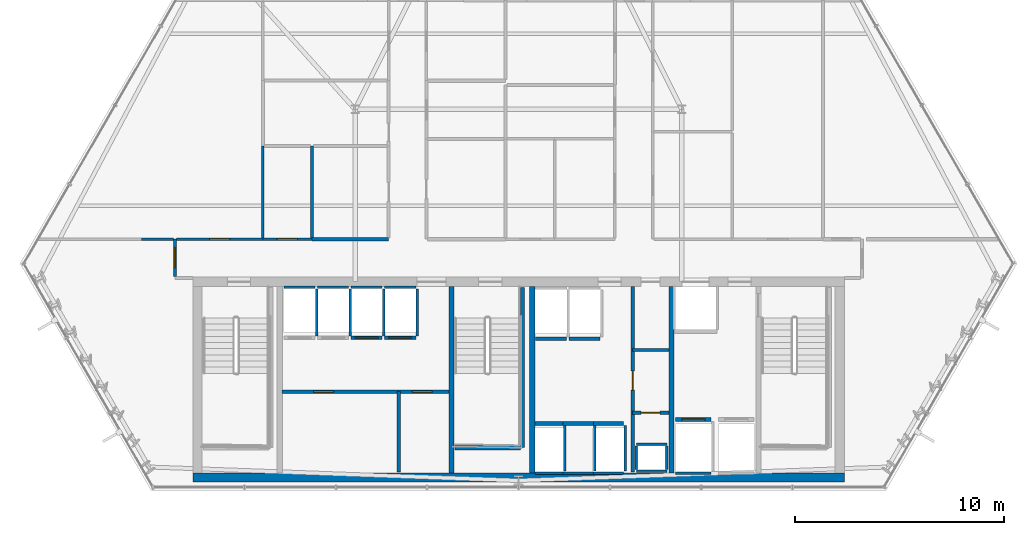
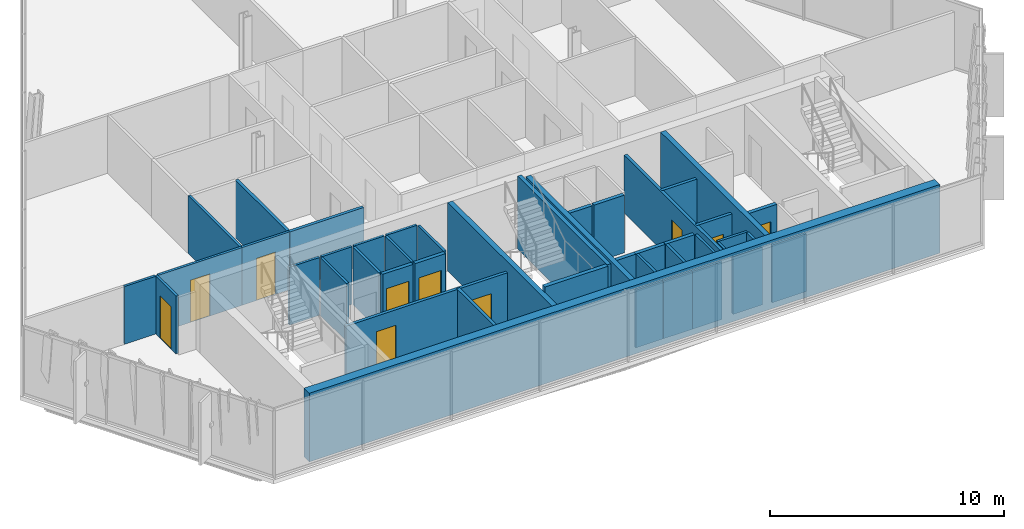
# One storey, part 25 of 32: 45 walls, 10 doors, 10 openings.
"""IFC4 building model written with IfcOpenShell, lengths in metres."""

from ifc_helpers import new_model, si_unit, direction, frame, frame_2d, origin, place, context, subcontext, project, spatial, rectangle, extrude, material, layer, layer_set, type_object, element, fill, save


model = new_model("IFC4")

# Units and contexts
model_context = context("Model", 3, precision=1e-05, world=origin(), true_north=direction((0.0, 1.0)))
body_context = subcontext(model_context, "Body", "Model", "MODEL_VIEW")
ifc_project = project(units=[si_unit("LENGTHUNIT", "METRE"), si_unit("AREAUNIT", "SQUARE_METRE"), si_unit("VOLUMEUNIT", "CUBIC_METRE"), si_unit("PLANEANGLEUNIT", "RADIAN"), si_unit("MASSUNIT", "GRAM", prefix="KILO")], contexts=[model_context])

# Site, building, storey
site_placement = place(None, origin())
site = spatial("IfcSite", under=ifc_project, at=site_placement, CompositionType="ELEMENT")
building_placement = place(site_placement, origin())
building = spatial("IfcBuilding", under=site, at=building_placement, Name="Ndaravel Arena Tower", CompositionType="ELEMENT")
storey_placement = place(building_placement, frame((0.0, 0.0, 134.60009765625)))
storey = spatial("IfcBuildingStorey", under=building, at=storey_placement, Name="L31", CompositionType="ELEMENT", Elevation=134.60009765625)

# Wall, opening, door
ifc_material_1 = material(Name="Gypsum", Category="gypsum")
ifc_layer_1 = layer(ifc_material_1, 0.14990234375)
ifc_layer_set_1 = layer_set([ifc_layer_1], Name="Gypsum")
wall_type_1 = type_object("IfcWallType", Name="WALL-COMP-150", PredefinedType="PARTITIONING", material=ifc_layer_set_1)
wall_1_placement = place(storey_placement, frame((47.449951171875, 5.89990234375, 0.0), z_axis=(0.0, 0.0, 1.0), x_axis=(0.0, 1.0, 0.0)))
wall_1 = element("IfcWall", 1, at=wall_1_placement, inside=storey, type_object=wall_type_1, Name="L31 Core Riser Bay Partition", PredefinedType="PARTITIONING", context=body_context, shape_type="SweptSolid", body=[
    extrude(rectangle(XDim=8.85009765625, YDim=0.14990234375, at=frame_2d((4.425048828125, 0.0))), origin(), (0.0, 0.0, 1.0), 3.010498046875),
])
opening_1_placement = place(wall_1_placement, frame((3.89990234375, 0.0, 0.0)))
opening_1 = element("IfcOpeningElement", 2, at=opening_1_placement, cuts=wall_1, Name="Opening RD-01", PredefinedType="OPENING", context=body_context, shape_type="SweptSolid", body=[
    extrude(rectangle(XDim=0.89990234375, YDim=2.10009765625, at=frame_2d((0.449951171875, 1.050048828125))), frame((0.0, 0.074951171875, 0.0), z_axis=(0.0, -1.0, 0.0), x_axis=(1.0, 0.0, 0.0)), (0.0, 0.0, 1.0), 0.14990234375),
])
ifc_material_2 = material(Name="Steel S355", Category="steel")
door_type_1 = type_object("IfcDoorType", Name="DT-08-RISER-900", OperationType="SINGLE_SWING_LEFT", PredefinedType="DOOR", material=ifc_material_2)
door_1_placement = place(opening_1_placement, origin())
door_1 = element("IfcDoor", 3, at=door_1_placement, inside=storey, type_object=door_type_1, Name="L31 Plumbing Riser Door", OperationType="SINGLE_SWING_LEFT", OverallHeight=2.10009765625, OverallWidth=0.89990234375, PredefinedType="DOOR", context=body_context, shape_type="SweptSolid", body=[
    extrude(rectangle(XDim=0.89990234375, YDim=2.10009765625, at=frame_2d((0.449951171875, 1.050048828125))), frame((0.0, 0.02490234375, 0.0), z_axis=(0.0, -1.0, 0.0), x_axis=(1.0, 0.0, 0.0)), (0.0, 0.0, 1.0), 0.050048828125),
])
fill(opening_1, door_1)

wall_2_placement = place(storey_placement, frame((47.449951171875, 8.719970703125, 0.0), z_axis=(0.0, 0.0, 1.0), x_axis=(1.0, 0.0, 0.0)))
wall_2 = element("IfcWall", 4, at=wall_2_placement, inside=storey, type_object=wall_type_1, Name="L31 Core Riser Divider 1", PredefinedType="PARTITIONING", context=body_context, shape_type="SweptSolid", body=[
    extrude(rectangle(XDim=1.72998046875, YDim=0.14990234375, at=frame_2d((0.864990234375, 0.0))), origin(), (0.0, 0.0, 1.0), 3.010498046875),
])
opening_2_placement = place(wall_2_placement, frame((0.39990234375, 0.0, 0.0)))
opening_2 = element("IfcOpeningElement", 5, at=opening_2_placement, cuts=wall_2, Name="Opening RD-01", PredefinedType="OPENING", context=body_context, shape_type="SweptSolid", body=[
    extrude(rectangle(XDim=0.89990234375, YDim=2.10009765625, at=frame_2d((0.449951171875, 1.050048828125))), frame((0.0, 0.074951171875, 0.0), z_axis=(0.0, -1.0, 0.0), x_axis=(1.0, 0.0, 0.0)), (0.0, 0.0, 1.0), 0.14990234375),
])
door_2_placement = place(opening_2_placement, origin())
door_2 = element("IfcDoor", 6, at=door_2_placement, inside=storey, type_object=door_type_1, Name="L31 Low-Voltage Riser Door", OperationType="SINGLE_SWING_RIGHT", OverallHeight=2.10009765625, OverallWidth=0.89990234375, PredefinedType="DOOR", context=body_context, shape_type="SweptSolid", body=[
    extrude(rectangle(XDim=0.89990234375, YDim=2.10009765625, at=frame_2d((0.449951171875, 1.050048828125))), frame((0.0, 0.02490234375, 0.0), z_axis=(0.0, -1.0, 0.0), x_axis=(1.0, 0.0, 0.0)), (0.0, 0.0, 1.0), 0.050048828125),
])
fill(opening_2, door_2)

# Wall
wall_3_placement = place(storey_placement, frame((47.449951171875, 11.719970703125, 0.0), z_axis=(0.0, 0.0, 1.0), x_axis=(1.0, 0.0, 0.0)))
element("IfcWall", 7, at=wall_3_placement, inside=storey, type_object=wall_type_1, Name="L31 Core Riser Divider 2", PredefinedType="PARTITIONING", context=body_context, shape_type="SweptSolid", body=[
    extrude(rectangle(XDim=1.72998046875, YDim=0.14990234375, at=frame_2d((0.864990234375, 0.0))), origin(), (0.0, 0.0, 1.0), 3.010498046875),
])

# Wall, openings, doors
wall_4_placement = place(storey_placement, frame((30.719970703125, 9.719970703125, 0.0), z_axis=(0.0, 0.0, 1.0), x_axis=(1.0, 0.0, 0.0)))
wall_4 = element("IfcWall", 8, at=wall_4_placement, inside=storey, type_object=wall_type_1, Name="L31 Reclaimed Shaft Partition", PredefinedType="PARTITIONING", context=body_context, shape_type="SweptSolid", body=[
    extrude(rectangle(XDim=7.9599609375, YDim=0.14990234375, at=frame_2d((3.97998046875, 0.0))), origin(), (0.0, 0.0, 1.0), 3.010498046875),
])
opening_3_placement = place(wall_4_placement, frame((1.5, 0.0, 0.0)))
opening_3 = element("IfcOpeningElement", 9, at=opening_3_placement, cuts=wall_4, Name="Opening FD-03", PredefinedType="OPENING", context=body_context, shape_type="SweptSolid", body=[
    extrude(rectangle(XDim=0.949951171875, YDim=2.199951171875, at=frame_2d((0.47509765625, 1.10009765625))), frame((0.0, 0.074951171875, 0.0), z_axis=(0.0, -1.0, 0.0), x_axis=(1.0, 0.0, 0.0)), (0.0, 0.0, 1.0), 0.14990234375),
])
opening_4_placement = place(wall_4_placement, frame((6.2099609375, 0.0, 0.0)))
opening_4 = element("IfcOpeningElement", 10, at=opening_4_placement, cuts=wall_4, Name="Opening FD-03", PredefinedType="OPENING", context=body_context, shape_type="SweptSolid", body=[
    extrude(rectangle(XDim=0.949951171875, YDim=2.199951171875, at=frame_2d((0.47509765625, 1.10009765625))), frame((0.0, 0.074951171875, 0.0), z_axis=(0.0, -1.0, 0.0), x_axis=(1.0, 0.0, 0.0)), (0.0, 0.0, 1.0), 0.14990234375),
])
ifc_material_3 = material(Name="Steel S355", Category="steel")
door_type_2 = type_object("IfcDoorType", Name="DT-11-CORE-950", OperationType="SINGLE_SWING_LEFT", PredefinedType="DOOR", material=ifc_material_3)
door_3_placement = place(opening_3_placement, origin())
door_3 = element("IfcDoor", 11, at=door_3_placement, inside=storey, type_object=door_type_2, Name="L31 ICT Server Room Door", OperationType="SINGLE_SWING_LEFT", OverallHeight=2.199951171875, OverallWidth=0.949951171875, PredefinedType="DOOR", context=body_context, shape_type="SweptSolid", body=[
    extrude(rectangle(XDim=0.949951171875, YDim=2.199951171875, at=frame_2d((0.47509765625, 1.10009765625))), frame((0.0, 0.02490234375, 0.0), z_axis=(0.0, -1.0, 0.0), x_axis=(1.0, 0.0, 0.0)), (0.0, 0.0, 1.0), 0.050048828125),
])
fill(opening_3, door_3)
door_4_placement = place(opening_4_placement, origin())
door_4 = element("IfcDoor", 12, at=door_4_placement, inside=storey, type_object=door_type_2, Name="L31 Core Archive Room Door", OperationType="SINGLE_SWING_RIGHT", OverallHeight=2.199951171875, OverallWidth=0.949951171875, PredefinedType="DOOR", context=body_context, shape_type="SweptSolid", body=[
    extrude(rectangle(XDim=0.949951171875, YDim=2.199951171875, at=frame_2d((0.47509765625, 1.10009765625))), frame((0.0, 0.02490234375, 0.0), z_axis=(0.0, -1.0, 0.0), x_axis=(1.0, 0.0, 0.0)), (0.0, 0.0, 1.0), 0.050048828125),
])
fill(opening_4, door_4)

# Walls
wall_5_placement = place(storey_placement, frame((36.280029296875, 5.89990234375, 0.0), z_axis=(0.0, 0.0, 1.0), x_axis=(0.0, 1.0, 0.0)))
element("IfcWall", 13, at=wall_5_placement, inside=storey, type_object=wall_type_1, Name="L31 Reclaimed Bay Divider", PredefinedType="PARTITIONING", context=body_context, shape_type="SweptSolid", body=[
    extrude(rectangle(XDim=3.820068359375, YDim=0.14990234375, at=frame_2d((1.91015625, 0.0))), origin(), (0.0, 0.0, 1.0), 3.010498046875),
])
ifc_material_4 = material(Name="Concrete C60/75", Category="concrete")
ifc_layer_2 = layer(ifc_material_4, 0.25)
ifc_layer_set_2 = layer_set([ifc_layer_2], Name="Concrete C60/75")
wall_type_2 = type_object("IfcWallType", Name="WALL-CORE-250", PredefinedType="SOLIDWALL", material=ifc_layer_set_2)
for number, where, z_axis, x_axis, name in (
    (14, (38.800048828125, 5.85009765625, 0.0), (0.0, 0.0, 1.0), (0.0, 1.0, 0.0), "L31 Core Web Shear Wall 2"),
    (15, (42.64990234375, 5.85009765625, 0.0), (0.0, 0.0, 1.0), (0.0, 1.0, 0.0), "L31 Core Web Shear Wall 3"),
    (16, (49.300048828125, 5.85009765625, 0.0), (0.0, 0.0, 1.0), (0.0, 1.0, 0.0), "L31 Core Web Shear Wall 4"),
):
    element("IfcWall", number, at=place(storey_placement, frame(where, z_axis=z_axis, x_axis=x_axis)), inside=storey, type_object=wall_type_2, Name=name, PredefinedType="SOLIDWALL", context=body_context, shape_type="SweptSolid", body=[
        extrude(rectangle(XDim=8.89990234375, YDim=0.25, at=frame_2d((4.449951171875, 0.0))), origin(), (0.0, 0.0, 1.0), 3.579833984375),
    ])
ifc_material_5 = material(Name="Concrete C60/75", Category="concrete")
ifc_layer_3 = layer(ifc_material_5, 0.449951171875)
ifc_layer_set_3 = layer_set([ifc_layer_3], Name="Concrete C60/75")
wall_type_3 = type_object("IfcWallType", Name="WALL-CORE-450", PredefinedType="SOLIDWALL", material=ifc_layer_set_3)
wall_6_placement = place(storey_placement, frame((26.449951171875, 5.625, 0.0), z_axis=(0.0, 0.0, 1.0), x_axis=(1.0, 0.0, 0.0)))
element("IfcWall", 17, at=wall_6_placement, inside=storey, type_object=wall_type_3, Name="L31 Core South Shear Wall", PredefinedType="SOLIDWALL", context=body_context, shape_type="SweptSolid", body=[
    extrude(rectangle(XDim=31.10009765625, YDim=0.449951171875, at=frame_2d((15.550048828125, 0.0))), origin(), (0.0, 0.0, 1.0), 3.579833984375),
])

# Wall, opening, door
ifc_material_6 = material(Name="Gypsum", Category="gypsum")
ifc_layer_4 = layer(ifc_material_6, 0.125)
ifc_layer_set_4 = layer_set([ifc_layer_4], Name="Gypsum")
wall_type_4 = type_object("IfcWallType", Name="WALL-PART-125", PredefinedType="PARTITIONING", material=ifc_layer_set_4)
wall_7_placement = place(storey_placement, frame((25.60009765625, 15.215087890625, 0.0), z_axis=(0.0, 0.0, 1.0), x_axis=(0.0, 1.0, 0.0)))
wall_7 = element("IfcWall", 18, at=wall_7_placement, inside=storey, type_object=wall_type_4, Name="L31 Interior Partition 004", PredefinedType="PARTITIONING", context=body_context, shape_type="SweptSolid", body=[
    extrude(rectangle(XDim=1.784912109375, YDim=0.125, at=frame_2d((0.892578125, 0.0))), origin(), (0.0, 0.0, 1.0), 3.010498046875),
])
opening_5_placement = place(wall_7_placement, frame((0.41748046875, 0.0, 0.0)))
opening_5 = element("IfcOpeningElement", 19, at=opening_5_placement, cuts=wall_7, Name="Opening ID-01", PredefinedType="OPENING", context=body_context, shape_type="SweptSolid", body=[
    extrude(rectangle(XDim=0.949951171875, YDim=2.199951171875, at=frame_2d((0.47509765625, 1.10009765625))), frame((0.0, 0.0625, 0.0), z_axis=(0.0, -1.0, 0.0), x_axis=(1.0, 0.0, 0.0)), (0.0, 0.0, 1.0), 0.125),
])
ifc_material_7 = material(Name="Timber", Category="wood")
door_type_3 = type_object("IfcDoorType", Name="DT-03-OFFICE-950", OperationType="SINGLE_SWING_LEFT", PredefinedType="DOOR", material=ifc_material_7)
door_5_placement = place(opening_5_placement, origin())
door_5 = element("IfcDoor", 20, at=door_5_placement, inside=storey, type_object=door_type_3, Name="L31 Executive Boardroom Door", OperationType="SINGLE_SWING_RIGHT", OverallHeight=2.199951171875, OverallWidth=0.949951171875, PredefinedType="DOOR", context=body_context, shape_type="SweptSolid", body=[
    extrude(rectangle(XDim=0.949951171875, YDim=2.199951171875, at=frame_2d((0.47509765625, 1.10009765625))), frame((0.0, 0.02490234375, 0.0), z_axis=(0.0, -1.0, 0.0), x_axis=(1.0, 0.0, 0.0)), (0.0, 0.0, 1.0), 0.050048828125),
])
fill(opening_5, door_5)

wall_8_placement = place(storey_placement, frame((25.6650390625, 17.0, 0.0), z_axis=(0.0, 0.0, 1.0), x_axis=(1.0, 0.0, 0.0)))
wall_8 = element("IfcWall", 21, at=wall_8_placement, inside=storey, type_object=wall_type_4, Name="L31 Interior Partition 005", PredefinedType="PARTITIONING", context=body_context, shape_type="SweptSolid", body=[
    extrude(rectangle(XDim=4.135009765625, YDim=0.125, at=frame_2d((2.0673828125, 0.0))), origin(), (0.0, 0.0, 1.0), 3.010498046875),
])
opening_6_placement = place(wall_8_placement, frame((1.592529296875, 0.0, 0.0)))
opening_6 = element("IfcOpeningElement", 22, at=opening_6_placement, cuts=wall_8, Name="Opening ID-01", PredefinedType="OPENING", context=body_context, shape_type="SweptSolid", body=[
    extrude(rectangle(XDim=0.949951171875, YDim=2.199951171875, at=frame_2d((0.47509765625, 1.10009765625))), frame((0.0, 0.0625, 0.0), z_axis=(0.0, -1.0, 0.0), x_axis=(1.0, 0.0, 0.0)), (0.0, 0.0, 1.0), 0.125),
])
door_6_placement = place(opening_6_placement, origin())
door_6 = element("IfcDoor", 23, at=door_6_placement, inside=storey, type_object=door_type_3, Name="L31 Barista Galley 3 Door", OperationType="SINGLE_SWING_LEFT", OverallHeight=2.199951171875, OverallWidth=0.949951171875, PredefinedType="DOOR", context=body_context, shape_type="SweptSolid", body=[
    extrude(rectangle(XDim=0.949951171875, YDim=2.199951171875, at=frame_2d((0.47509765625, 1.10009765625))), frame((0.0, 0.02490234375, 0.0), z_axis=(0.0, -1.0, 0.0), x_axis=(1.0, 0.0, 0.0)), (0.0, 0.0, 1.0), 0.050048828125),
])
fill(opening_6, door_6)

wall_9_placement = place(storey_placement, frame((29.800048828125, 17.0, 0.0), z_axis=(0.0, 0.0, 1.0), x_axis=(1.0, 0.0, 0.0)))
wall_9 = element("IfcWall", 24, at=wall_9_placement, inside=storey, type_object=wall_type_4, Name="L31 Interior Partition 006", PredefinedType="PARTITIONING", context=body_context, shape_type="SweptSolid", body=[
    extrude(rectangle(XDim=2.33984375, YDim=0.125, at=frame_2d((1.169921875, 0.0))), origin(), (0.0, 0.0, 1.0), 3.010498046875),
])
opening_7_placement = place(wall_9_placement, frame((0.695068359375, 0.0, 0.0)))
opening_7 = element("IfcOpeningElement", 25, at=opening_7_placement, cuts=wall_9, Name="Opening ID-01", PredefinedType="OPENING", context=body_context, shape_type="SweptSolid", body=[
    extrude(rectangle(XDim=0.949951171875, YDim=2.199951171875, at=frame_2d((0.47509765625, 1.10009765625))), frame((0.0, 0.0625, 0.0), z_axis=(0.0, -1.0, 0.0), x_axis=(1.0, 0.0, 0.0)), (0.0, 0.0, 1.0), 0.125),
])
door_7_placement = place(opening_7_placement, origin())
door_7 = element("IfcDoor", 26, at=door_7_placement, inside=storey, type_object=door_type_3, Name="L31 Staff Wellness Clinic Door", OperationType="SINGLE_SWING_RIGHT", OverallHeight=2.199951171875, OverallWidth=0.949951171875, PredefinedType="DOOR", context=body_context, shape_type="SweptSolid", body=[
    extrude(rectangle(XDim=0.949951171875, YDim=2.199951171875, at=frame_2d((0.47509765625, 1.10009765625))), frame((0.0, 0.02490234375, 0.0), z_axis=(0.0, -1.0, 0.0), x_axis=(1.0, 0.0, 0.0)), (0.0, 0.0, 1.0), 0.050048828125),
])
fill(opening_7, door_7)

# Walls
wall_10_placement = place(storey_placement, frame((24.0, 17.0, 0.0), z_axis=(0.0, 0.0, 1.0), x_axis=(1.0, 0.0, 0.0)))
element("IfcWall", 27, at=wall_10_placement, inside=storey, type_object=wall_type_4, Name="L31 Interior Partition 028", PredefinedType="PARTITIONING", context=body_context, shape_type="SweptSolid", body=[
    extrude(rectangle(XDim=1.534912109375, YDim=0.125, at=frame_2d((0.767578125, 0.0))), origin(), (0.0, 0.0, 1.0), 3.010498046875),
])
wall_11_placement = place(storey_placement, frame((29.800048828125, 17.06494140625, 0.0), z_axis=(0.0, 0.0, 1.0), x_axis=(0.0, 1.0, 0.0)))
element("IfcWall", 28, at=wall_11_placement, inside=storey, type_object=wall_type_4, Name="L31 Interior Partition 031", PredefinedType="PARTITIONING", context=body_context, shape_type="SweptSolid", body=[
    extrude(rectangle(XDim=4.381103515625, YDim=0.125, at=frame_2d((2.1904296875, 0.0))), origin(), (0.0, 0.0, 1.0), 3.010498046875),
])
ifc_material_8 = material(Name="Concrete C40/50", Category="concrete")
ifc_layer_5 = layer(ifc_material_8, 0.1201171875)
ifc_layer_set_5 = layer_set([ifc_layer_5], Name="Concrete C40/50")
wall_type_5 = type_object("IfcWallType", Name="WALL-SHAFT-120", PredefinedType="SOLIDWALL", material=ifc_layer_set_5)
for number, where, z_axis, x_axis, name in (
    (29, (47.6201171875, 5.919921875, 0.0), (0.0, 0.0, 1.0), (1.0, 0.0, 0.0), "L31 MEP Riser Shaft S Wall"),
    (30, (47.6201171875, 7.219970703125, 0.0), (0.0, 0.0, 1.0), (1.0, 0.0, 0.0), "L31 MEP Riser Shaft N Wall"),
):
    element("IfcWall", number, at=place(storey_placement, frame(where, z_axis=z_axis, x_axis=x_axis)), inside=storey, type_object=wall_type_5, Name=name, PredefinedType="SOLIDWALL", context=body_context, shape_type="SweptSolid", body=[
        extrude(rectangle(XDim=1.4599609375, YDim=0.1201171875, at=frame_2d((0.72998046875, 0.0))), origin(), (0.0, 0.0, 1.0), 3.010498046875),
    ])
for number, where, z_axis, x_axis, name in (
    (31, (47.6201171875, 6.0, 0.0), (0.0, 0.0, 1.0), (0.0, 1.0, 0.0), "L31 MEP Riser Shaft W Wall"),
    (32, (49.080078125, 6.0, 0.0), (0.0, 0.0, 1.0), (0.0, 1.0, 0.0), "L31 MEP Riser Shaft E Wall"),
):
    element("IfcWall", number, at=place(storey_placement, frame(where, z_axis=z_axis, x_axis=x_axis)), inside=storey, type_object=wall_type_5, Name=name, PredefinedType="SOLIDWALL", context=body_context, shape_type="SweptSolid", body=[
        extrude(rectangle(XDim=1.139892578125, YDim=0.1201171875, at=frame_2d((0.56982421875, 0.0))), origin(), (0.0, 0.0, 1.0), 3.010498046875),
    ])
wall_12_placement = place(storey_placement, frame((30.804931640625, 14.7099609375, 0.0), z_axis=(0.0, 0.0, 1.0), x_axis=(1.0, 0.0, 0.0)))
element("IfcWall", 33, at=wall_12_placement, inside=storey, type_object=wall_type_5, Name="L31 PL-M1 Shaft Rear Wall", PredefinedType="SOLIDWALL", context=body_context, shape_type="SweptSolid", body=[
    extrude(rectangle(XDim=1.489990234375, YDim=0.1201171875, at=frame_2d((0.7451171875, 0.0))), origin(), (0.0, 0.0, 1.0), 3.010498046875),
])
wall_13_placement = place(storey_placement, frame((32.375, 12.389892578125, 0.0), z_axis=(0.0, 0.0, 1.0), x_axis=(0.0, 1.0, 0.0)))
element("IfcWall", 34, at=wall_13_placement, inside=storey, type_object=wall_type_5, Name="L31 PL-M1 Shaft Side R Wall", PredefinedType="SOLIDWALL", context=body_context, shape_type="SweptSolid", body=[
    extrude(rectangle(XDim=2.230224609375, YDim=0.1201171875, at=frame_2d((1.115234375, 0.0))), origin(), (0.0, 0.0, 1.0), 3.010498046875),
])
wall_14_placement = place(storey_placement, frame((32.405029296875, 14.7099609375, 0.0), z_axis=(0.0, 0.0, 1.0), x_axis=(1.0, 0.0, 0.0)))
element("IfcWall", 35, at=wall_14_placement, inside=storey, type_object=wall_type_5, Name="L31 PL-M2 Shaft Rear Wall", PredefinedType="SOLIDWALL", context=body_context, shape_type="SweptSolid", body=[
    extrude(rectangle(XDim=1.489990234375, YDim=0.1201171875, at=frame_2d((0.7451171875, 0.0))), origin(), (0.0, 0.0, 1.0), 3.010498046875),
])
wall_15_placement = place(storey_placement, frame((33.97509765625, 12.389892578125, 0.0), z_axis=(0.0, 0.0, 1.0), x_axis=(0.0, 1.0, 0.0)))
element("IfcWall", 36, at=wall_15_placement, inside=storey, type_object=wall_type_5, Name="L31 PL-M2 Shaft Side R Wall", PredefinedType="SOLIDWALL", context=body_context, shape_type="SweptSolid", body=[
    extrude(rectangle(XDim=2.230224609375, YDim=0.1201171875, at=frame_2d((1.115234375, 0.0))), origin(), (0.0, 0.0, 1.0), 3.010498046875),
])
wall_16_placement = place(storey_placement, frame((34.0048828125, 14.7099609375, 0.0), z_axis=(0.0, 0.0, 1.0), x_axis=(1.0, 0.0, 0.0)))
element("IfcWall", 37, at=wall_16_placement, inside=storey, type_object=wall_type_5, Name="L31 PL-M3 Shaft Rear Wall", PredefinedType="SOLIDWALL", context=body_context, shape_type="SweptSolid", body=[
    extrude(rectangle(XDim=1.490234375, YDim=0.1201171875, at=frame_2d((0.7451171875, 0.0))), origin(), (0.0, 0.0, 1.0), 3.010498046875),
])
wall_17_placement = place(storey_placement, frame((35.574951171875, 12.389892578125, 0.0), z_axis=(0.0, 0.0, 1.0), x_axis=(0.0, 1.0, 0.0)))
element("IfcWall", 38, at=wall_17_placement, inside=storey, type_object=wall_type_5, Name="L31 PL-M3 Shaft Side R Wall", PredefinedType="SOLIDWALL", context=body_context, shape_type="SweptSolid", body=[
    extrude(rectangle(XDim=2.230224609375, YDim=0.1201171875, at=frame_2d((1.115234375, 0.0))), origin(), (0.0, 0.0, 1.0), 3.010498046875),
])
wall_18_placement = place(storey_placement, frame((35.60498046875, 14.7099609375, 0.0), z_axis=(0.0, 0.0, 1.0), x_axis=(1.0, 0.0, 0.0)))
element("IfcWall", 39, at=wall_18_placement, inside=storey, type_object=wall_type_5, Name="L31 PL-M4 Shaft Rear Wall", PredefinedType="SOLIDWALL", context=body_context, shape_type="SweptSolid", body=[
    extrude(rectangle(XDim=1.489990234375, YDim=0.1201171875, at=frame_2d((0.7451171875, 0.0))), origin(), (0.0, 0.0, 1.0), 3.010498046875),
])
wall_19_placement = place(storey_placement, frame((37.175048828125, 12.389892578125, 0.0), z_axis=(0.0, 0.0, 1.0), x_axis=(0.0, 1.0, 0.0)))
element("IfcWall", 40, at=wall_19_placement, inside=storey, type_object=wall_type_5, Name="L31 PL-M4 Shaft Side R Wall", PredefinedType="SOLIDWALL", context=body_context, shape_type="SweptSolid", body=[
    extrude(rectangle(XDim=2.230224609375, YDim=0.1201171875, at=frame_2d((1.115234375, 0.0))), origin(), (0.0, 0.0, 1.0), 3.010498046875),
])
wall_20_placement = place(storey_placement, frame((42.780029296875, 5.840087890625, 0.0), z_axis=(0.0, 0.0, 1.0), x_axis=(1.0, 0.0, 0.0)))
element("IfcWall", 41, at=wall_20_placement, inside=storey, type_object=wall_type_5, Name="L31 PL-H1 Shaft Rear Wall", PredefinedType="SOLIDWALL", context=body_context, shape_type="SweptSolid", body=[
    extrude(rectangle(XDim=1.340087890625, YDim=0.1201171875, at=frame_2d((0.669921875, 0.0))), origin(), (0.0, 0.0, 1.0), 3.010498046875),
])
wall_21_placement = place(storey_placement, frame((44.199951171875, 5.929931640625, 0.0), z_axis=(0.0, 0.0, 1.0), x_axis=(0.0, 1.0, 0.0)))
element("IfcWall", 42, at=wall_21_placement, inside=storey, type_object=wall_type_5, Name="L31 PL-H1 Shaft Side R Wall", PredefinedType="SOLIDWALL", context=body_context, shape_type="SweptSolid", body=[
    extrude(rectangle(XDim=2.18017578125, YDim=0.1201171875, at=frame_2d((1.090087890625, 0.0))), origin(), (0.0, 0.0, 1.0), 3.010498046875),
])
wall_22_placement = place(storey_placement, frame((44.1298828125, 5.840087890625, 0.0), z_axis=(0.0, 0.0, 1.0), x_axis=(1.0, 0.0, 0.0)))
element("IfcWall", 43, at=wall_22_placement, inside=storey, type_object=wall_type_5, Name="L31 PL-H2 Shaft Rear Wall", PredefinedType="SOLIDWALL", context=body_context, shape_type="SweptSolid", body=[
    extrude(rectangle(XDim=1.440185546875, YDim=0.1201171875, at=frame_2d((0.72021484375, 0.0))), origin(), (0.0, 0.0, 1.0), 3.010498046875),
])
wall_23_placement = place(storey_placement, frame((45.64990234375, 5.929931640625, 0.0), z_axis=(0.0, 0.0, 1.0), x_axis=(0.0, 1.0, 0.0)))
element("IfcWall", 44, at=wall_23_placement, inside=storey, type_object=wall_type_5, Name="L31 PL-H2 Shaft Side R Wall", PredefinedType="SOLIDWALL", context=body_context, shape_type="SweptSolid", body=[
    extrude(rectangle(XDim=2.18017578125, YDim=0.1201171875, at=frame_2d((1.090087890625, 0.0))), origin(), (0.0, 0.0, 1.0), 3.010498046875),
])
wall_24_placement = place(storey_placement, frame((45.580078125, 5.840087890625, 0.0), z_axis=(0.0, 0.0, 1.0), x_axis=(1.0, 0.0, 0.0)))
element("IfcWall", 45, at=wall_24_placement, inside=storey, type_object=wall_type_5, Name="L31 PL-H3 Shaft Rear Wall", PredefinedType="SOLIDWALL", context=body_context, shape_type="SweptSolid", body=[
    extrude(rectangle(XDim=1.43994140625, YDim=0.1201171875, at=frame_2d((0.719970703125, 0.0))), origin(), (0.0, 0.0, 1.0), 3.010498046875),
])
wall_25_placement = place(storey_placement, frame((47.10009765625, 5.929931640625, 0.0), z_axis=(0.0, 0.0, 1.0), x_axis=(0.0, 1.0, 0.0)))
element("IfcWall", 46, at=wall_25_placement, inside=storey, type_object=wall_type_5, Name="L31 PL-H3 Shaft Side R Wall", PredefinedType="SOLIDWALL", context=body_context, shape_type="SweptSolid", body=[
    extrude(rectangle(XDim=2.18017578125, YDim=0.1201171875, at=frame_2d((1.090087890625, 0.0))), origin(), (0.0, 0.0, 1.0), 3.010498046875),
])
wall_26_placement = place(storey_placement, frame((49.5048828125, 5.840087890625, 0.0), z_axis=(0.0, 0.0, 1.0), x_axis=(1.0, 0.0, 0.0)))
element("IfcWall", 47, at=wall_26_placement, inside=storey, type_object=wall_type_5, Name="L31 FFL-1 Shaft Rear Wall", PredefinedType="SOLIDWALL", context=body_context, shape_type="SweptSolid", body=[
    extrude(rectangle(XDim=1.690185546875, YDim=0.1201171875, at=frame_2d((0.84521484375, 0.0))), origin(), (0.0, 0.0, 1.0), 3.010498046875),
])
ifc_material_9 = material(Name="Concrete C40/50", Category="concrete")
ifc_layer_6 = layer(ifc_material_9, 0.199951171875)
ifc_layer_set_6 = layer_set([ifc_layer_6], Name="Concrete C40/50")
wall_type_6 = type_object("IfcWallType", Name="WALL-SHAFT-200", PredefinedType="SOLIDWALL", material=ifc_layer_set_6)
wall_27_placement = place(storey_placement, frame((42.18994140625, 14.699951171875, 0.0), z_axis=(0.0, 0.0, 1.0), x_axis=(0.0, -1.0, 0.0)))
element("IfcWall", 48, at=wall_27_placement, inside=storey, type_object=wall_type_6, Name="L31 ST-2 Structural Shaft Wall Right", PredefinedType="SOLIDWALL", context=body_context, shape_type="SweptSolid", body=[
    extrude(rectangle(XDim=7.64990234375, YDim=0.199951171875, at=frame_2d((3.824951171875, 0.0))), origin(), (0.0, 0.0, 1.0), 3.7998046875),
])
wall_28_placement = place(storey_placement, frame((38.969970703125, 7.050048828125, 0.0), z_axis=(0.0, 0.0, 1.0), x_axis=(1.0, 0.0, 0.0)))
element("IfcWall", 49, at=wall_28_placement, inside=storey, type_object=wall_type_6, Name="L31 ST-2 Structural Shaft Wall Far", PredefinedType="SOLIDWALL", context=body_context, shape_type="SweptSolid", body=[
    extrude(rectangle(XDim=3.114990234375, YDim=0.199951171875, at=frame_2d((1.5576171875, 0.0))), origin(), (0.0, 0.0, 1.0), 3.7998046875),
])

# Wall, opening, door
wall_29_placement = place(storey_placement, frame((34.0048828125, 12.300048828125, 0.0), z_axis=(0.0, 0.0, 1.0), x_axis=(1.0, 0.0, 0.0)))
wall_29 = element("IfcWall", 50, at=wall_29_placement, inside=storey, type_object=wall_type_6, Name="L31 PL-M3 Shaft Landing Wall", PredefinedType="SOLIDWALL", context=body_context, shape_type="SweptSolid", body=[
    extrude(rectangle(XDim=1.490234375, YDim=0.179931640625, at=frame_2d((0.7451171875, 0.0))), origin(), (0.0, 0.0, 1.0), 3.010498046875),
])
opening_8_placement = place(wall_29_placement, frame((0.195068359375, 0.0, 0.0)))
opening_8 = element("IfcOpeningElement", 51, at=opening_8_placement, cuts=wall_29, Name="Opening LD-01", PredefinedType="OPENING", context=body_context, shape_type="SweptSolid", body=[
    extrude(rectangle(XDim=1.10009765625, YDim=2.199951171875, at=frame_2d((0.550048828125, 1.10009765625))), frame((0.0, 0.08984375, 0.0), z_axis=(0.0, -1.0, 0.0), x_axis=(1.0, 0.0, 0.0)), (0.0, 0.0, 1.0), 0.179931640625),
])
ifc_material_10 = material(Name="Steel S355", Category="steel")
door_type_4 = type_object("IfcDoorType", Name="DT-06-LIFT-1100", OperationType="SLIDING_TO_LEFT", PredefinedType="DOOR", material=ifc_material_10)
door_8_placement = place(opening_8_placement, origin())
door_8 = element("IfcDoor", 52, at=door_8_placement, inside=storey, type_object=door_type_4, Name="L31 Lift PL-M3 Sliding Landing Door", OperationType="SLIDING_TO_LEFT", OverallHeight=2.199951171875, OverallWidth=1.10009765625, PredefinedType="DOOR", context=body_context, shape_type="SweptSolid", body=[
    extrude(rectangle(XDim=1.10009765625, YDim=2.199951171875, at=frame_2d((0.550048828125, 1.10009765625))), frame((0.0, 0.02490234375, 0.0), z_axis=(0.0, -1.0, 0.0), x_axis=(1.0, 0.0, 0.0)), (0.0, 0.0, 1.0), 0.050048828125),
])
fill(opening_8, door_8)

wall_30_placement = place(storey_placement, frame((35.60498046875, 12.300048828125, 0.0), z_axis=(0.0, 0.0, 1.0), x_axis=(1.0, 0.0, 0.0)))
wall_30 = element("IfcWall", 53, at=wall_30_placement, inside=storey, type_object=wall_type_6, Name="L31 PL-M4 Shaft Landing Wall", PredefinedType="SOLIDWALL", context=body_context, shape_type="SweptSolid", body=[
    extrude(rectangle(XDim=1.489990234375, YDim=0.179931640625, at=frame_2d((0.7451171875, 0.0))), origin(), (0.0, 0.0, 1.0), 3.010498046875),
])
opening_9_placement = place(wall_30_placement, frame((0.195068359375, 0.0, 0.0)))
opening_9 = element("IfcOpeningElement", 54, at=opening_9_placement, cuts=wall_30, Name="Opening LD-01", PredefinedType="OPENING", context=body_context, shape_type="SweptSolid", body=[
    extrude(rectangle(XDim=1.10009765625, YDim=2.199951171875, at=frame_2d((0.550048828125, 1.10009765625))), frame((0.0, 0.08984375, 0.0), z_axis=(0.0, -1.0, 0.0), x_axis=(1.0, 0.0, 0.0)), (0.0, 0.0, 1.0), 0.179931640625),
])
door_9_placement = place(opening_9_placement, origin())
door_9 = element("IfcDoor", 55, at=door_9_placement, inside=storey, type_object=door_type_4, Name="L31 Lift PL-M4 Sliding Landing Door", OperationType="SLIDING_TO_LEFT", OverallHeight=2.199951171875, OverallWidth=1.10009765625, PredefinedType="DOOR", context=body_context, shape_type="SweptSolid", body=[
    extrude(rectangle(XDim=1.10009765625, YDim=2.199951171875, at=frame_2d((0.550048828125, 1.10009765625))), frame((0.0, 0.02490234375, 0.0), z_axis=(0.0, -1.0, 0.0), x_axis=(1.0, 0.0, 0.0)), (0.0, 0.0, 1.0), 0.050048828125),
])
fill(opening_9, door_9)

# Walls
wall_31_placement = place(storey_placement, frame((42.780029296875, 8.199951171875, 0.0), z_axis=(0.0, 0.0, 1.0), x_axis=(1.0, 0.0, 0.0)))
element("IfcWall", 56, at=wall_31_placement, inside=storey, type_object=wall_type_6, Name="L31 PL-H1 Shaft Landing Wall", PredefinedType="SOLIDWALL", context=body_context, shape_type="SweptSolid", body=[
    extrude(rectangle(XDim=1.340087890625, YDim=0.179931640625, at=frame_2d((0.669921875, 0.0))), origin(), (0.0, 0.0, 1.0), 3.010498046875),
])
wall_32_placement = place(storey_placement, frame((44.1298828125, 8.199951171875, 0.0), z_axis=(0.0, 0.0, 1.0), x_axis=(1.0, 0.0, 0.0)))
element("IfcWall", 57, at=wall_32_placement, inside=storey, type_object=wall_type_6, Name="L31 PL-H2 Shaft Landing Wall", PredefinedType="SOLIDWALL", context=body_context, shape_type="SweptSolid", body=[
    extrude(rectangle(XDim=1.440185546875, YDim=0.179931640625, at=frame_2d((0.72021484375, 0.0))), origin(), (0.0, 0.0, 1.0), 3.010498046875),
])
wall_33_placement = place(storey_placement, frame((45.580078125, 8.199951171875, 0.0), z_axis=(0.0, 0.0, 1.0), x_axis=(1.0, 0.0, 0.0)))
element("IfcWall", 58, at=wall_33_placement, inside=storey, type_object=wall_type_6, Name="L31 PL-H3 Shaft Landing Wall", PredefinedType="SOLIDWALL", context=body_context, shape_type="SweptSolid", body=[
    extrude(rectangle(XDim=1.43994140625, YDim=0.179931640625, at=frame_2d((0.719970703125, 0.0))), origin(), (0.0, 0.0, 1.0), 3.010498046875),
])
for number, where, z_axis, x_axis, name in (
    (59, (42.804931640625, 12.25, 0.0), (0.0, 0.0, 1.0), (1.0, 0.0, 0.0), "L31 PL-OBS1 Shaft Landing Wall"),
    (60, (44.405029296875, 12.25, 0.0), (0.0, 0.0, 1.0), (1.0, 0.0, 0.0), "L31 PL-OBS2 Shaft Landing Wall"),
):
    element("IfcWall", number, at=place(storey_placement, frame(where, z_axis=z_axis, x_axis=x_axis)), inside=storey, type_object=wall_type_6, Name=name, PredefinedType="SOLIDWALL", context=body_context, shape_type="SweptSolid", body=[
        extrude(rectangle(XDim=1.489990234375, YDim=0.179931640625, at=frame_2d((0.7451171875, 0.0))), origin(), (0.0, 0.0, 1.0), 3.010498046875),
    ])

# Wall, opening, door
wall_34_placement = place(storey_placement, frame((49.5048828125, 8.39990234375, 0.0), z_axis=(0.0, 0.0, 1.0), x_axis=(1.0, 0.0, 0.0)))
wall_34 = element("IfcWall", 61, at=wall_34_placement, inside=storey, type_object=wall_type_6, Name="L31 FFL-1 Shaft Landing Wall", PredefinedType="SOLIDWALL", context=body_context, shape_type="SweptSolid", body=[
    extrude(rectangle(XDim=1.690185546875, YDim=0.179931640625, at=frame_2d((0.84521484375, 0.0))), origin(), (0.0, 0.0, 1.0), 3.010498046875),
])
opening_10_placement = place(wall_34_placement, frame((0.294921875, 0.0, 0.0)))
opening_10 = element("IfcOpeningElement", 62, at=opening_10_placement, cuts=wall_34, Name="Opening LD-01", PredefinedType="OPENING", context=body_context, shape_type="SweptSolid", body=[
    extrude(rectangle(XDim=1.10009765625, YDim=2.199951171875, at=frame_2d((0.550048828125, 1.10009765625))), frame((0.0, 0.08984375, 0.0), z_axis=(0.0, -1.0, 0.0), x_axis=(1.0, 0.0, 0.0)), (0.0, 0.0, 1.0), 0.179931640625),
])
door_10_placement = place(opening_10_placement, origin())
door_10 = element("IfcDoor", 63, at=door_10_placement, inside=storey, type_object=door_type_4, Name="L31 Lift FFL-1 Sliding Landing Door", OperationType="SLIDING_TO_LEFT", OverallHeight=2.199951171875, OverallWidth=1.10009765625, PredefinedType="DOOR", context=body_context, shape_type="SweptSolid", body=[
    extrude(rectangle(XDim=1.10009765625, YDim=2.199951171875, at=frame_2d((0.550048828125, 1.10009765625))), frame((0.0, 0.02490234375, 0.0), z_axis=(0.0, -1.0, 0.0), x_axis=(1.0, 0.0, 0.0)), (0.0, 0.0, 1.0), 0.050048828125),
])
fill(opening_10, door_10)

# Walls
ifc_material_11 = material(Name="Masonry", Category="masonry")
ifc_layer_7 = layer(ifc_material_11, 0.14990234375)
ifc_layer_set_7 = layer_set([ifc_layer_7], Name="Masonry")
wall_type_7 = type_object("IfcWallType", Name="WALL-WET-150", PredefinedType="PARTITIONING", material=ifc_layer_set_7)
wall_35_placement = place(storey_placement, frame((32.139892578125, 17.0, 0.0), z_axis=(0.0, 0.0, 1.0), x_axis=(1.0, 0.0, 0.0)))
element("IfcWall", 64, at=wall_35_placement, inside=storey, type_object=wall_type_7, Name="L31 Interior Partition 007", PredefinedType="PARTITIONING", context=body_context, shape_type="SweptSolid", body=[
    extrude(rectangle(XDim=3.66015625, YDim=0.14990234375, at=frame_2d((1.830078125, 0.0))), origin(), (0.0, 0.0, 1.0), 3.010498046875),
])
wall_36_placement = place(storey_placement, frame((32.139892578125, 21.446044921875, 0.0), z_axis=(0.0, 0.0, 1.0), x_axis=(0.0, -1.0, 0.0)))
element("IfcWall", 65, at=wall_36_placement, inside=storey, type_object=wall_type_7, Name="L31 Interior Partition 030", PredefinedType="PARTITIONING", context=body_context, shape_type="SweptSolid", body=[
    extrude(rectangle(XDim=4.381103515625, YDim=0.14990234375, at=frame_2d((2.1904296875, 0.0))), origin(), (0.0, 0.0, 1.0), 3.010498046875),
])

save(model, "model.ifc")
